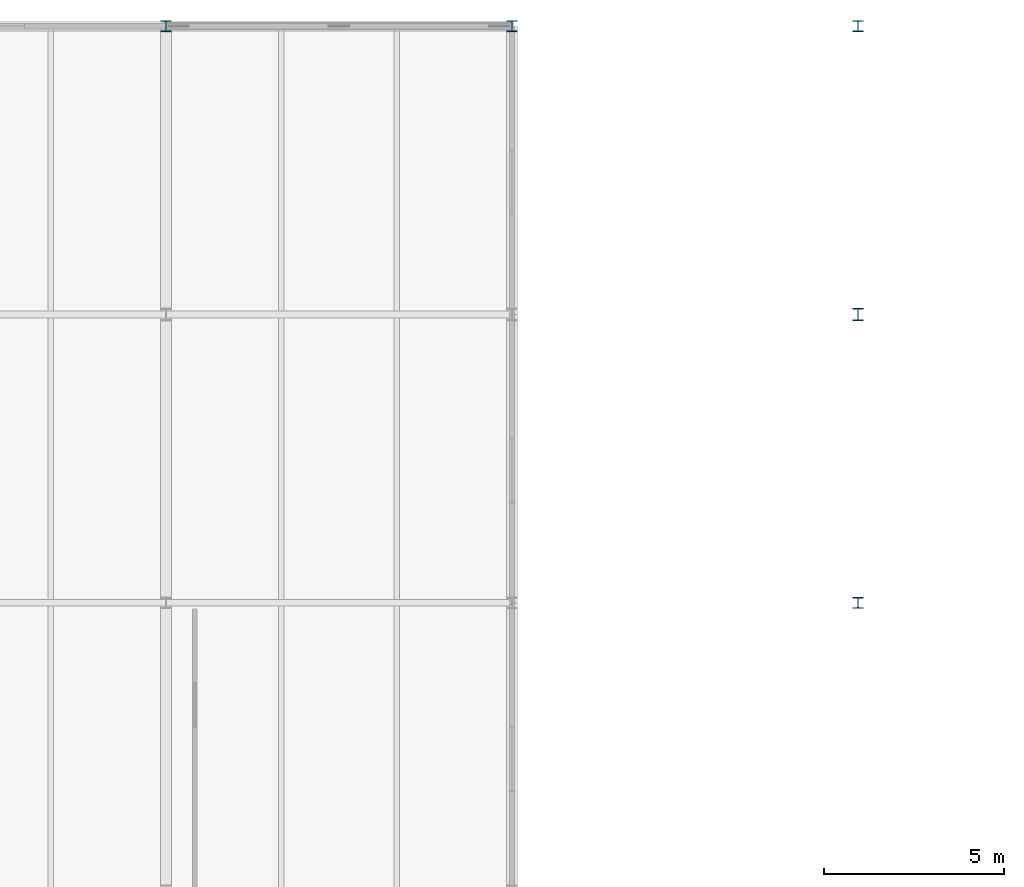
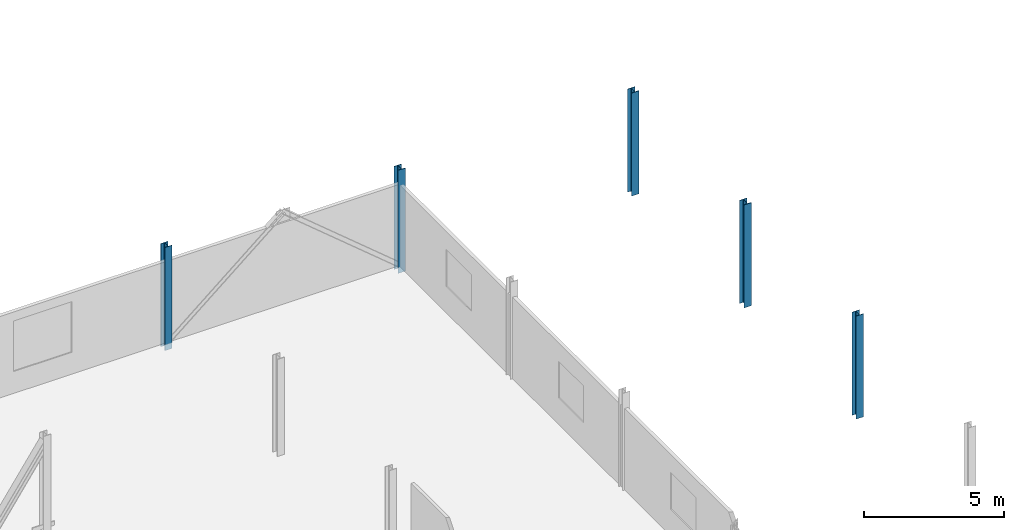
# One storey, part 14 of 73: 5 columns.
"""IFC4 building model written with IfcOpenShell, lengths in metres."""

from ifc_helpers import new_model, si_unit, direction, frame, origin, origin_2d, place, context, subcontext, project, spatial, i_section, extrude, material, material_profile, profile_set, type_object, element, save


model = new_model("IFC4")

# Units and contexts
model_context = context("Model", 3, precision=1e-05, world=origin(), true_north=direction((0.0, 1.0)))
body_context = subcontext(model_context, "Body", "Model", "MODEL_VIEW")
ifc_project = project(units=[si_unit("LENGTHUNIT", "METRE"), si_unit("AREAUNIT", "SQUARE_METRE"), si_unit("VOLUMEUNIT", "CUBIC_METRE"), si_unit("PLANEANGLEUNIT", "RADIAN"), si_unit("MASSUNIT", "GRAM", prefix="KILO")], contexts=[model_context])

# Site, building, storey
site_placement = place(None, origin())
site = spatial("IfcSite", under=ifc_project, at=site_placement, CompositionType="ELEMENT")
building_placement = place(site_placement, origin())
building = spatial("IfcBuilding", under=site, at=building_placement, Name="Alderhovde Museum", CompositionType="ELEMENT")
storey_placement = place(building_placement, frame((0.0, 0.0, 12.89990234375)))
storey = spatial("IfcBuildingStorey", under=building, at=storey_placement, Name="L03", CompositionType="ELEMENT", Elevation=12.89990234375)

# Columns
ifc_material_1 = material(Name="Steel S355J2", Category="steel")
ifc_material_profile_1 = material_profile(ifc_material_1, i_section(OverallWidth=0.300048828125, OverallDepth=0.300048828125, WebThickness=0.010986328125, FlangeThickness=0.01904296875, FilletRadius=0.027099609375, at=origin_2d()), Name="HEB 300")
ifc_profile_set_1 = profile_set([ifc_material_profile_1], Name="Steel S355J2")
column_type_1 = type_object("IfcColumnType", Name="COL-HEB300", PredefinedType="COLUMN", material=ifc_profile_set_1)
for number, where, z_axis, x_axis, name in (
    (1, (38.39990234375, 112.0, -0.260009765625), (0.0, 0.0, 1.0), (1.0, 0.0, 0.0), "L03 Column (38.4, 112.0)"),
    (2, (48.0, 112.0, -0.260009765625), (0.0, 0.0, 1.0), (1.0, 0.0, 0.0), "L03 Column (48.0, 112.0)"),
    (3, (57.60009765625, 96.0, -0.260009765625), (0.0, 0.0, 1.0), (1.0, 0.0, 0.0), "L03 Column (57.6, 96.0)"),
    (4, (57.60009765625, 112.0, -0.260009765625), (0.0, 0.0, 1.0), (1.0, 0.0, 0.0), "L03 Column (57.6, 112.0)"),
):
    element("IfcColumn", number, at=place(storey_placement, frame(where, z_axis=z_axis, x_axis=x_axis)), inside=storey, type_object=column_type_1, Name=name, PredefinedType="COLUMN", context=body_context, shape_type="SweptSolid", body=[
        extrude(i_section(OverallWidth=0.300048828125, OverallDepth=0.300048828125, WebThickness=0.010986328125, FlangeThickness=0.01904296875, FilletRadius=0.027099609375, at=origin_2d()), origin(), (0.0, 0.0, 1.0), 4.480224609375),
    ])
ifc_material_2 = material(Name="Steel S355J2", Category="steel")
ifc_material_profile_2 = material_profile(ifc_material_2, i_section(OverallWidth=0.300048828125, OverallDepth=0.340087890625, WebThickness=0.011962890625, FlangeThickness=0.021484375, FilletRadius=0.027099609375, at=origin_2d()), Name="HEB 340")
ifc_profile_set_2 = profile_set([ifc_material_profile_2], Name="Steel S355J2")
column_type_2 = type_object("IfcColumnType", Name="COL-HEB340", PredefinedType="COLUMN", material=ifc_profile_set_2)
column_placement = place(storey_placement, frame((57.60009765625, 104.0, -0.260009765625), z_axis=(0.0, 0.0, 1.0), x_axis=(1.0, 0.0, 0.0)))
element("IfcColumn", 5, at=column_placement, inside=storey, type_object=column_type_2, Name="L03 Column (57.6, 104.0)", PredefinedType="COLUMN", context=body_context, shape_type="SweptSolid", body=[
    extrude(i_section(OverallWidth=0.300048828125, OverallDepth=0.340087890625, WebThickness=0.011962890625, FlangeThickness=0.021484375, FilletRadius=0.027099609375, at=origin_2d()), origin(), (0.0, 0.0, 1.0), 4.480224609375),
])

save(model, "model.ifc")
